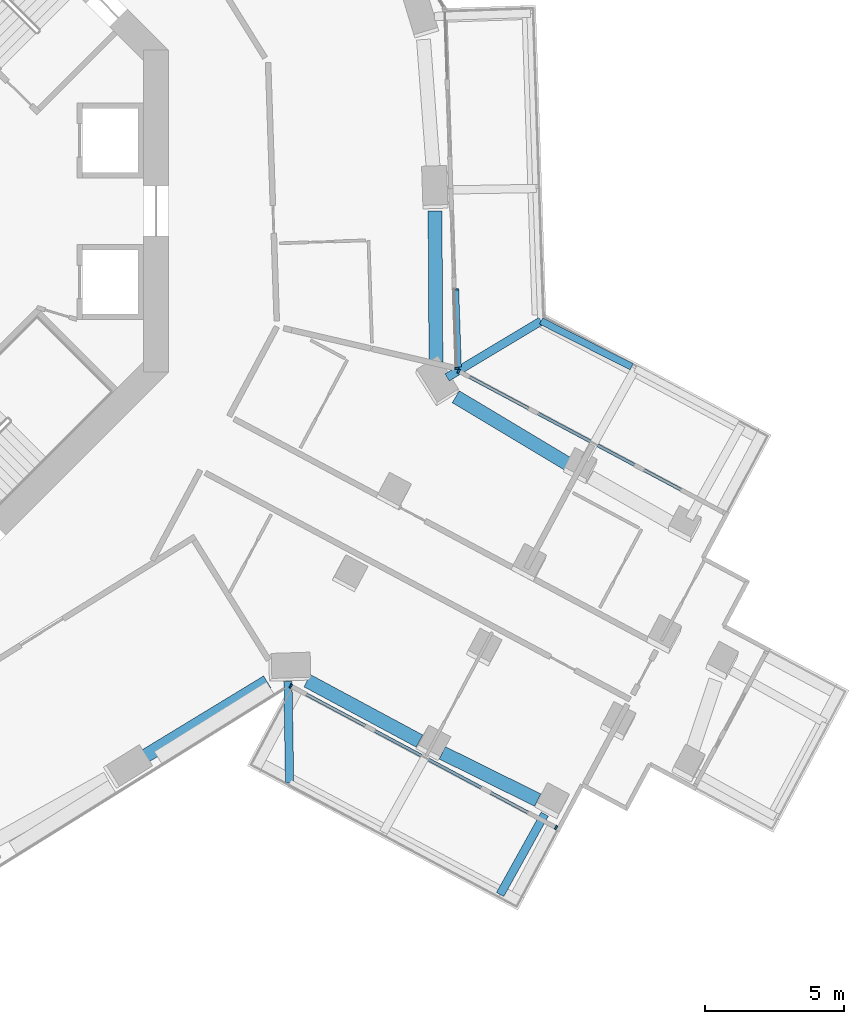
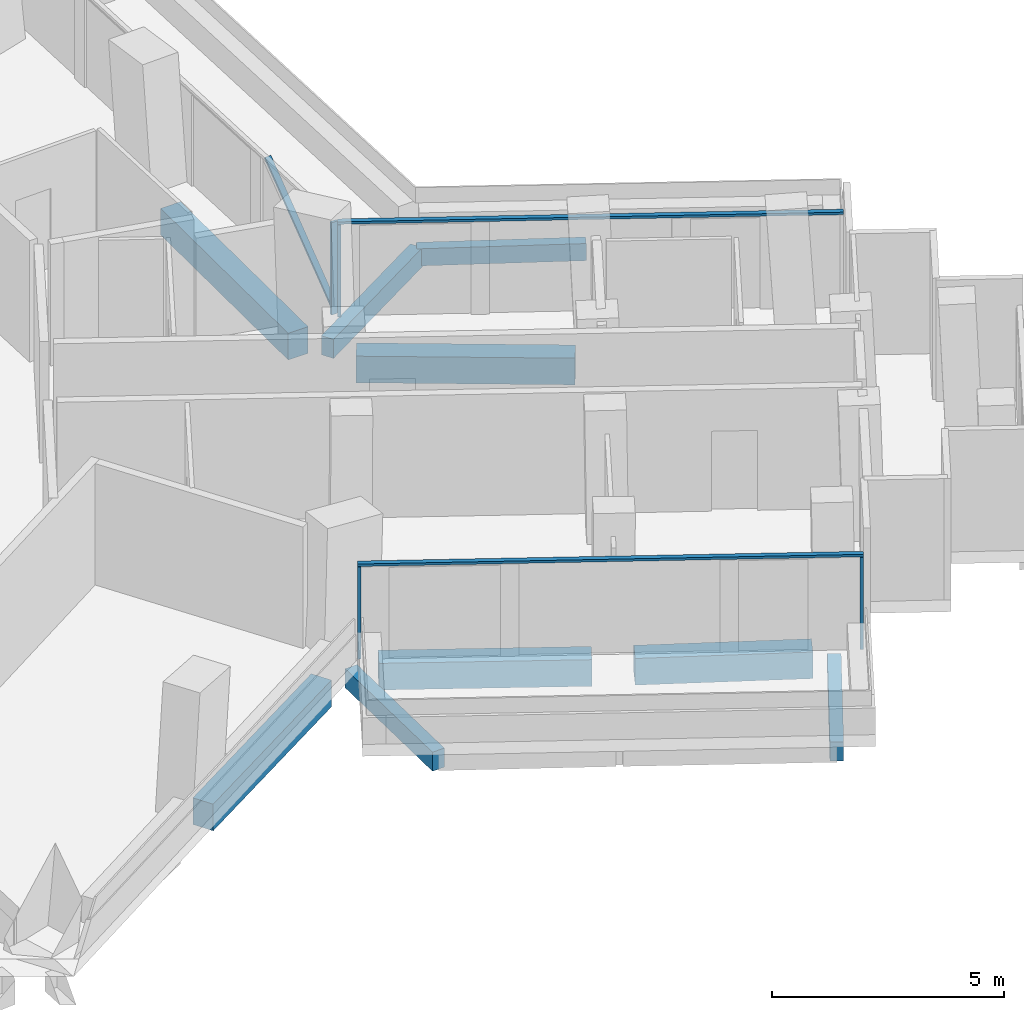
# One storey, part 6 of 27: 9 beams, 7 members, 3 elements without a shape of their own.
"""IFC4 building model written with IfcOpenShell, lengths in metres."""

from ifc_helpers import new_model, si_unit, direction, frame, origin, origin_2d, place, context, subcontext, project, spatial, rectangle, extrude, material, layer, layer_set, material_profile, profile_set, type_object, element, aggregate, save


model = new_model("IFC4")

# Units and contexts
model_context = context("Model", 3, precision=1e-05, world=origin(), true_north=direction((0.0, 1.0)))
body_context = subcontext(model_context, "Body", "Model", "MODEL_VIEW")
ifc_project = project(units=[si_unit("LENGTHUNIT", "METRE"), si_unit("AREAUNIT", "SQUARE_METRE"), si_unit("VOLUMEUNIT", "CUBIC_METRE"), si_unit("PLANEANGLEUNIT", "RADIAN"), si_unit("MASSUNIT", "GRAM", prefix="KILO")], contexts=[model_context])

# Site, building, storey
site_placement = place(None, origin())
site = spatial("IfcSite", under=ifc_project, at=site_placement, CompositionType="ELEMENT")
building_placement = place(site_placement, origin())
building = spatial("IfcBuilding", under=site, at=building_placement, Name="Verdalira Terraces Hotel", CompositionType="ELEMENT")
storey_placement = place(building_placement, frame((0.0, 0.0, 42.5)))
storey = spatial("IfcBuildingStorey", under=building, at=storey_placement, Name="L08", CompositionType="ELEMENT", Elevation=42.5)

# Beams
ifc_material_1 = material(Name="Concrete C40", Category="concrete")
ifc_material_profile_1 = material_profile(ifc_material_1, rectangle(XDim=0.300049, YDim=0.5, at=origin_2d()), Name="RC 300X500")
ifc_profile_set_1 = profile_set([ifc_material_profile_1], Name="Concrete C40")
beam_type_1 = type_object("IfcBeamType", Name="Balcony cantilever beam RC 300X500 C40", PredefinedType="BEAM", material=ifc_profile_set_1)
beam_1_placement = place(storey_placement, frame((18.302979, -16.937988, -0.560059), z_axis=(0.016762272, -0.999859503, 0.0), x_axis=(0.999859503, 0.016762272, 0.0)))
element("IfcBeam", 1, at=beam_1_placement, inside=storey, type_object=beam_type_1, Name="Balcony cantilever beam R28-1", PredefinedType="BEAM", context=body_context, shape_type="SweptSolid", body=[
    extrude(rectangle(XDim=0.300049, YDim=0.5, at=origin_2d()), origin(), (0.0, 0.0, 1.0), 3.655762),
])
beam_2_placement = place(storey_placement, frame((27.553223, -21.716797, -0.560059), z_axis=(-0.485423686, -0.874279043, 0.0), x_axis=(0.874279043, -0.485423686, 0.0)))
element("IfcBeam", 2, at=beam_2_placement, inside=storey, type_object=beam_type_1, Name="Balcony cantilever beam R28-3", PredefinedType="BEAM", context=body_context, shape_type="SweptSolid", body=[
    extrude(rectangle(XDim=0.300049, YDim=0.5, at=origin_2d()), origin(), (0.0, 0.0, 1.0), 3.309326),
])
beam_3_placement = place(storey_placement, frame((24.035156, -5.987793, -0.560059), z_axis=(0.857547455, 0.514404863, 0.0), x_axis=(-0.514404863, 0.857547455, 0.0)))
element("IfcBeam", 3, at=beam_3_placement, inside=storey, type_object=beam_type_1, Name="Balcony cantilever beam R38-3", PredefinedType="BEAM", context=body_context, shape_type="SweptSolid", body=[
    extrude(rectangle(XDim=0.300049, YDim=0.5, at=origin_2d()), origin(), (0.0, 0.0, 1.0), 3.950195),
])
ifc_material_2 = material(Name="Concrete C40", Category="concrete")
ifc_material_profile_2 = material_profile(ifc_material_2, rectangle(XDim=0.25, YDim=0.449951, at=origin_2d()), Name="RC 250X450")
ifc_profile_set_2 = profile_set([ifc_material_profile_2], Name="Concrete C40")
beam_type_2 = type_object("IfcBeamType", Name="Balcony edge beam RC 250X450 C40", PredefinedType="BEAM", material=ifc_profile_set_2)
beam_4_placement = place(storey_placement, frame((30.683105, -5.605713, -0.534912), z_axis=(-0.892265517, 0.451511072, 0.0), x_axis=(-0.451511072, -0.892265517, 0.0)))
element("IfcBeam", 4, at=beam_4_placement, inside=storey, type_object=beam_type_2, Name="Balcony edge beam R38-2", PredefinedType="BEAM", context=body_context, shape_type="SweptSolid", body=[
    extrude(rectangle(XDim=0.25, YDim=0.449951, at=origin_2d()), origin(), (0.0, 0.0, 1.0), 3.654297),
])

# Curtain wall, member
ifc_material_3 = material(Name="Clear glass", Category="glass")
ifc_layer_1 = layer(ifc_material_3, 0.14990234375)
ifc_layer_set_1 = layer_set([ifc_layer_1], Name="CW1 curtain wall")
curtain_wall_type_1 = type_object("IfcCurtainWallType", Name="CW1 curtain wall", PredefinedType="NOTDEFINED", material=ifc_layer_set_1)
curtain_wall_1_placement = place(storey_placement, origin())
curtain_wall_1 = element("IfcCurtainWall", 5, at=curtain_wall_1_placement, inside=storey, type_object=curtain_wall_type_1, Name="CW1 curtain wall L08 edge 39", PredefinedType="NOTDEFINED")
ifc_material_4 = material(Name="Terracotta frame", Category="masonry")
ifc_material_profile_3 = material_profile(ifc_material_4, rectangle(XDim=0.060059, YDim=0.149902, at=origin_2d()), Name="MU 60x150")
ifc_profile_set_3 = profile_set([ifc_material_profile_3], Name="Terracotta frame")
member_type_1 = type_object("IfcMemberType", Name="CW1 mullion 60x150", PredefinedType="MULLION", material=ifc_profile_set_3)
member_1_placement = place(storey_placement, frame((24.386475, -5.65625, 0.0), z_axis=(0.0, 0.0, 1.0), x_axis=(-0.03350405, 0.999438582, 0.0)))
member_1 = element("IfcMember", 6, at=member_1_placement, type_object=member_type_1, Name="CW1 mullion", PredefinedType="MULLION", context=body_context, shape_type="SweptSolid", body=[
    extrude(rectangle(XDim=0.060059, YDim=0.149902, at=origin_2d()), origin(), (0.0, 0.0, 1.0), 2.425049),
])

# Curtain wall, members
ifc_material_5 = material(Name="Clear glass", Category="glass")
ifc_layer_2 = layer(ifc_material_5, 0.14990234375)
ifc_layer_set_2 = layer_set([ifc_layer_2], Name="CW2 curtain wall")
curtain_wall_type_2 = type_object("IfcCurtainWallType", Name="CW2 curtain wall", PredefinedType="NOTDEFINED", material=ifc_layer_set_2)
curtain_wall_2_placement = place(storey_placement, origin())
curtain_wall_2 = element("IfcCurtainWall", 7, at=curtain_wall_2_placement, inside=storey, type_object=curtain_wall_type_2, Name="CW2 curtain wall L08 edge 28", PredefinedType="NOTDEFINED")
ifc_material_6 = material(Name="Terracotta frame", Category="masonry")
ifc_material_profile_4 = material_profile(ifc_material_6, rectangle(XDim=0.070068, YDim=0.149902, at=origin_2d()), Name="MU 70x150")
ifc_profile_set_4 = profile_set([ifc_material_profile_4], Name="Terracotta frame")
member_type_2 = type_object("IfcMemberType", Name="CW2 mullion 70x150", PredefinedType="MULLION", material=ifc_profile_set_4)
member_2_placement = place(storey_placement, frame((18.409424, -17.10376, 0.0), z_axis=(0.0, 0.0, 1.0), x_axis=(0.882291226, -0.470703932, 0.0)))
member_2 = element("IfcMember", 8, at=member_2_placement, type_object=member_type_2, Name="CW2 mullion", PredefinedType="MULLION", context=body_context, shape_type="SweptSolid", body=[
    extrude(rectangle(XDim=0.070068, YDim=0.149902, at=origin_2d()), origin(), (0.0, 0.0, 1.0), 2.425049),
])
member_3_placement = place(storey_placement, frame((27.958496, -22.197998, 0.0), z_axis=(0.0, 0.0, 1.0), x_axis=(0.882291226, -0.470703932, 0.0)))
member_3 = element("IfcMember", 9, at=member_3_placement, type_object=member_type_2, Name="CW2 mullion", PredefinedType="MULLION", context=body_context, shape_type="SweptSolid", body=[
    extrude(rectangle(XDim=0.070068, YDim=0.149902, at=origin_2d()), origin(), (0.0, 0.0, 1.0), 2.425049),
])

# Curtain wall, member
curtain_wall_3_placement = place(storey_placement, origin())
curtain_wall_3 = element("IfcCurtainWall", 10, at=curtain_wall_3_placement, inside=storey, type_object=curtain_wall_type_2, Name="CW2 curtain wall L08 edge 38", PredefinedType="NOTDEFINED")
member_4_placement = place(storey_placement, frame((24.458008, -5.766357, 0.0), z_axis=(0.0, 0.0, 1.0), x_axis=(-0.882291226, 0.470703932, 0.0)))
member_4 = element("IfcMember", 11, at=member_4_placement, type_object=member_type_2, Name="CW2 mullion", PredefinedType="MULLION", context=body_context, shape_type="SweptSolid", body=[
    extrude(rectangle(XDim=0.070068, YDim=0.149902, at=origin_2d()), origin(), (0.0, 0.0, 1.0), 2.425049),
])

# Member
ifc_material_7 = material(Name="Terracotta frame", Category="masonry")
ifc_material_profile_5 = material_profile(ifc_material_7, rectangle(XDim=0.11499, YDim=0.064941, at=origin_2d()), Name="TR 65x115")
ifc_profile_set_5 = profile_set([ifc_material_profile_5], Name="Terracotta frame")
member_type_3 = type_object("IfcMemberType", Name="CW2 transom 65x115", PredefinedType="USERDEFINED", material=ifc_profile_set_5)
member_5_placement = place(storey_placement, frame((18.378662, -17.087158, 2.45752), z_axis=(0.882284685, -0.470716193, 0.0), x_axis=(0.470716193, 0.882284685, 0.0)))
member_5 = element("IfcMember", 12, at=member_5_placement, type_object=member_type_3, Name="CW2 transom", ObjectType="TRANSOM", PredefinedType="USERDEFINED", context=body_context, shape_type="SweptSolid", body=[
    extrude(rectangle(XDim=0.11499, YDim=0.064941, at=origin_2d()), origin(), (0.0, 0.0, 1.0), 10.892822),
])

aggregate(curtain_wall_2, [member_2, member_3, member_5])

member_6_placement = place(storey_placement, frame((34.037842, -10.877197, 2.45752), z_axis=(-0.882284685, 0.470716193, 0.0), x_axis=(-0.470716193, -0.882284685, 0.0)))
member_6 = element("IfcMember", 13, at=member_6_placement, type_object=member_type_3, Name="CW2 transom", ObjectType="TRANSOM", PredefinedType="USERDEFINED", context=body_context, shape_type="SweptSolid", body=[
    extrude(rectangle(XDim=0.11499, YDim=0.064941, at=origin_2d()), origin(), (0.0, 0.0, 1.0), 10.892822),
])

aggregate(curtain_wall_3, [member_4, member_6])

ifc_material_8 = material(Name="Terracotta frame", Category="masonry")
ifc_material_profile_6 = material_profile(ifc_material_8, rectangle(XDim=0.149902, YDim=0.060059, at=origin_2d()), Name="GB 60x150")
ifc_profile_set_6 = profile_set([ifc_material_profile_6], Name="Terracotta frame")
member_type_4 = type_object("IfcMemberType", Name="Diagonal glazing bar 60x150", PredefinedType="USERDEFINED", material=ifc_profile_set_6)
member_7_placement = place(storey_placement, frame((24.473633, -5.594971, 0.02417), z_axis=(-0.025480137, 0.760068471, 0.64934327), x_axis=(-0.999438561, -0.033504654, 0.0)))
member_7 = element("IfcMember", 14, at=member_7_placement, type_object=member_type_4, Name="Diagonal glazing bar", ObjectType="GLAZING BAR", PredefinedType="USERDEFINED", context=body_context, shape_type="SweptSolid", body=[
    extrude(rectangle(XDim=0.149902, YDim=0.060059, at=origin_2d()), origin(), (0.0, 0.0, 1.0), 3.660156),
])

aggregate(curtain_wall_1, [member_1, member_7])

# Beams
ifc_material_9 = material(Name="Concrete C70", Category="concrete")
ifc_material_profile_7 = material_profile(ifc_material_9, rectangle(XDim=0.5, YDim=0.699951, at=origin_2d()), Name="RC 500X700")
ifc_profile_set_7 = profile_set([ifc_material_profile_7], Name="Concrete C70")
beam_type_3 = type_object("IfcBeamType", Name="Spandrel beam RC 500X700 C70", PredefinedType="SPANDREL", material=ifc_profile_set_7)
beam_5_placement = place(storey_placement, frame((13.019287, -19.711914, -0.659912), z_axis=(0.854289066, 0.519798221, 0.0), x_axis=(-0.519798221, 0.854289066, 0.0)))
element("IfcBeam", 15, at=beam_5_placement, inside=storey, type_object=beam_type_3, Name="Spandrel beam B24", PredefinedType="SPANDREL", context=body_context, shape_type="SweptSolid", body=[
    extrude(rectangle(XDim=0.5, YDim=0.699951, at=origin_2d()), origin(), (0.0, 0.0, 1.0), 5.312012),
])
beam_6_placement = place(storey_placement, frame((18.999268, -16.911621, -0.659912), z_axis=(0.880786954, -0.473512769, 0.0), x_axis=(0.473512769, 0.880786954, 0.0)))
element("IfcBeam", 16, at=beam_6_placement, inside=storey, type_object=beam_type_3, Name="Spandrel beam B25", PredefinedType="SPANDREL", context=body_context, shape_type="SweptSolid", body=[
    extrude(rectangle(XDim=0.5, YDim=0.699951, at=origin_2d()), origin(), (0.0, 0.0, 1.0), 4.588867),
])
beam_7_placement = place(storey_placement, frame((23.861816, -19.507812, -0.659912), z_axis=(0.896164962, -0.443721039, 0.0), x_axis=(0.443721039, 0.896164962, 0.0)))
element("IfcBeam", 17, at=beam_7_placement, inside=storey, type_object=beam_type_3, Name="Spandrel beam B26", PredefinedType="SPANDREL", context=body_context, shape_type="SweptSolid", body=[
    extrude(rectangle(XDim=0.5, YDim=0.699951, at=origin_2d()), origin(), (0.0, 0.0, 1.0), 3.834473),
])
beam_8_placement = place(storey_placement, frame((28.395264, -9.109375, -0.659912), z_axis=(-0.857776008, 0.514023658, 0.0), x_axis=(-0.514023658, -0.857776008, 0.0)))
element("IfcBeam", 18, at=beam_8_placement, inside=storey, type_object=beam_type_3, Name="Spandrel beam B29", PredefinedType="SPANDREL", context=body_context, shape_type="SweptSolid", body=[
    extrude(rectangle(XDim=0.5, YDim=0.699951, at=origin_2d()), origin(), (0.0, 0.0, 1.0), 4.71582),
])
beam_9_placement = place(storey_placement, frame((23.633789, -5.427246, -0.659912), z_axis=(-0.005969909, 0.99998218, 0.0), x_axis=(-0.99998218, -0.005969909, 0.0)))
element("IfcBeam", 19, at=beam_9_placement, inside=storey, type_object=beam_type_3, Name="Spandrel beam B30", PredefinedType="SPANDREL", context=body_context, shape_type="SweptSolid", body=[
    extrude(rectangle(XDim=0.5, YDim=0.699951, at=origin_2d()), origin(), (0.0, 0.0, 1.0), 5.438965),
])

save(model, "model.ifc")
